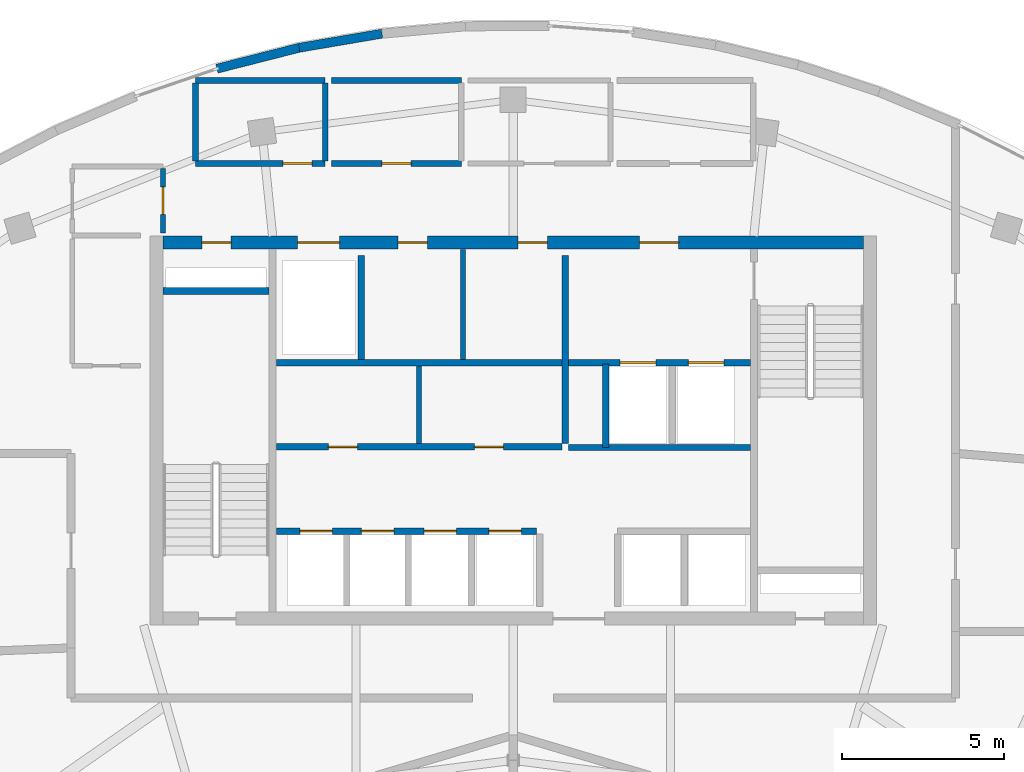
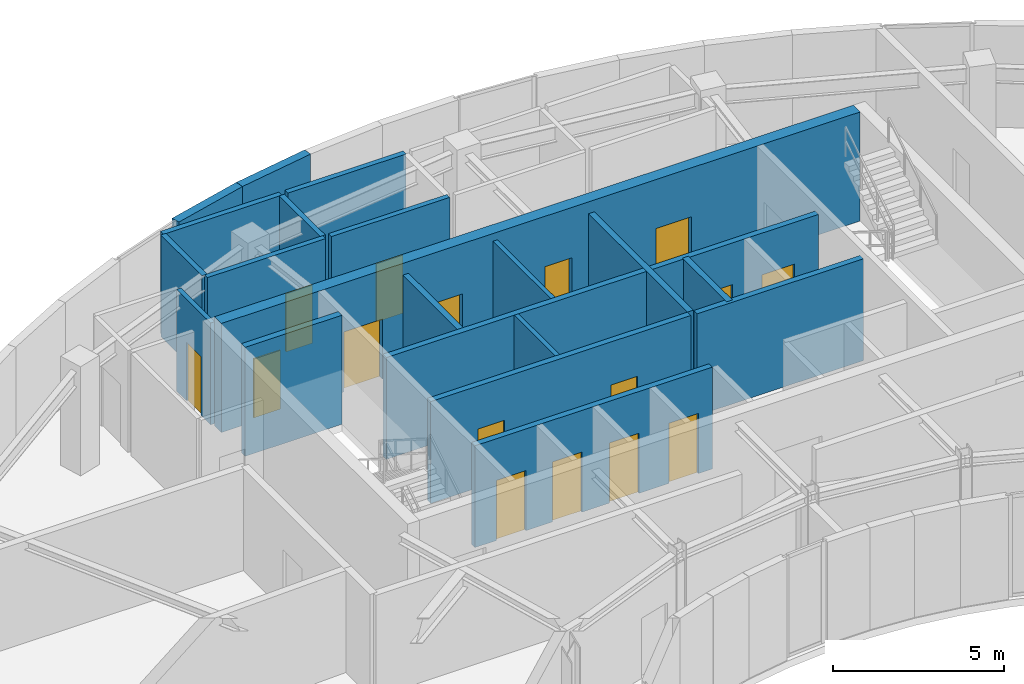
# One storey, part 6 of 9: 21 walls, 16 doors, 16 openings.
"""IFC4 building model written with IfcOpenShell, lengths in metres."""

from ifc_helpers import new_model, si_unit, direction, frame, frame_2d, origin, place, context, subcontext, project, spatial, rectangle, extrude, source, transform, mapped, material, layer, layer_set, type_object, type_shapes, element, fill, save


model = new_model("IFC4")

# Units and contexts
model_context = context("Model", 3, precision=1e-05, world=origin(), true_north=direction((0.0, 1.0)))
body_context = subcontext(model_context, "Body", "Model", "MODEL_VIEW")
ifc_project = project(units=[si_unit("LENGTHUNIT", "METRE"), si_unit("AREAUNIT", "SQUARE_METRE"), si_unit("VOLUMEUNIT", "CUBIC_METRE"), si_unit("PLANEANGLEUNIT", "RADIAN"), si_unit("MASSUNIT", "GRAM", prefix="KILO")], contexts=[model_context])

# Site, building, storey
site_placement = place(None, origin())
site = spatial("IfcSite", under=ifc_project, at=site_placement, CompositionType="ELEMENT")
building_placement = place(site_placement, origin())
building = spatial("IfcBuilding", under=site, at=building_placement, Name="Breltana Convention Tower", CompositionType="ELEMENT")
storey_placement = place(building_placement, frame((0.0, 0.0, 295.199951171875)))
storey = spatial("IfcBuildingStorey", under=building, at=storey_placement, Name="L72", CompositionType="ELEMENT", Elevation=295.199951171875)

# Wall
ifc_material_1 = material(Name="Concrete C50/60", Category="concrete")
ifc_layer_1 = layer(ifc_material_1, 0.39990234375, Name="Concrete C50/60")
ifc_layer_set_1 = layer_set([ifc_layer_1], Name="Concrete C50/60")
wall_type_1 = type_object("IfcWallType", Name="SW-CORE-400", PredefinedType="SHEAR", material=ifc_layer_set_1)
shared_shape_1 = source(origin(), body_context, "Body", "SweptSolid", [
    extrude(rectangle(XDim=3.27001953125, YDim=0.219970703125, at=frame_2d((1.635009765625, 0.0))), origin(), (0.0, 0.0, 1.0), 3.900146484375),
])
wall_1_placement = place(storey_placement, frame((37.199951171875, 70.510009765625, 0.0), z_axis=(0.0, 0.0, 1.0), x_axis=(1.0, 0.0, 0.0)))
element("IfcWall", 1, at=wall_1_placement, inside=storey, type_object=wall_type_1, Name="L72 ST-1 Stairwell North Bearing Wall", PredefinedType="SHEAR", context=body_context, shape_type="MappedRepresentation", body=[
    mapped(shared_shape_1, transform((0.0, 0.0, 0.0), scale=1.0)),
])

# Wall, openings, doors
shared_shape_2 = source(origin(), body_context, "Body", "SweptSolid", [
    extrude(rectangle(XDim=21.60009765625, YDim=0.39990234375, at=frame_2d((10.800048828125, 0.0))), origin(), (0.0, 0.0, 1.0), 3.900146484375),
])
wall_2_placement = place(storey_placement, frame((37.199951171875, 72.0, 0.0), z_axis=(0.0, 0.0, 1.0), x_axis=(1.0, 0.0, 0.0)))
wall_2 = element("IfcWall", 2, at=wall_2_placement, inside=storey, type_object=wall_type_1, Name="L72 North Core Shear Wall", PredefinedType="SHEAR", context=body_context, shape_type="MappedRepresentation", body=[
    mapped(shared_shape_2, transform((0.0, 0.0, 0.0), scale=1.0)),
])
opening_1_placement = place(wall_2_placement, frame((1.199951171875, 0.0, 0.0)))
opening_1 = element("IfcOpeningElement", 3, at=opening_1_placement, cuts=wall_2, Name="Opening D-18", PredefinedType="OPENING", context=body_context, shape_type="SweptSolid", body=[
    extrude(rectangle(XDim=0.89990234375, YDim=2.10009765625, at=frame_2d((0.449951171875, 1.050048828125))), frame((0.0, 0.2099609375, 0.0), z_axis=(0.0, -1.0, 0.0), x_axis=(1.0, 0.0, 0.0)), (0.0, 0.0, 1.0), 0.419921875),
])
opening_2_placement = place(wall_2_placement, frame((14.699951171875, 0.0, 0.0)))
opening_2 = element("IfcOpeningElement", 4, at=opening_2_placement, cuts=wall_2, Name="Opening D-09", PredefinedType="OPENING", context=body_context, shape_type="SweptSolid", body=[
    extrude(rectangle(XDim=1.199951171875, YDim=2.14990234375, at=frame_2d((0.60009765625, 1.074951171875))), frame((0.0, 0.2099609375, 0.0), z_axis=(0.0, -1.0, 0.0), x_axis=(1.0, 0.0, 0.0)), (0.0, 0.0, 1.0), 0.419921875),
])
opening_3_placement = place(wall_2_placement, frame((4.14990234375, 0.0, 0.0)))
opening_3 = element("IfcOpeningElement", 5, at=opening_3_placement, cuts=wall_2, Name="Opening LD-01", PredefinedType="OPENING", context=body_context, shape_type="SweptSolid", body=[
    extrude(rectangle(XDim=1.300048828125, YDim=2.14990234375, at=frame_2d((0.64990234375, 1.074951171875))), frame((0.0, 0.2099609375, 0.0), z_axis=(0.0, -1.0, 0.0), x_axis=(1.0, 0.0, 0.0)), (0.0, 0.0, 1.0), 0.419921875),
])
opening_4_placement = place(wall_2_placement, frame((7.25, 0.0, 0.0)))
opening_4 = element("IfcOpeningElement", 6, at=opening_4_placement, cuts=wall_2, Name="Opening D-18", PredefinedType="OPENING", context=body_context, shape_type="SweptSolid", body=[
    extrude(rectangle(XDim=0.89990234375, YDim=2.10009765625, at=frame_2d((0.449951171875, 1.050048828125))), frame((0.0, 0.2099609375, 0.0), z_axis=(0.0, -1.0, 0.0), x_axis=(1.0, 0.0, 0.0)), (0.0, 0.0, 1.0), 0.419921875),
])
opening_5_placement = place(wall_2_placement, frame((10.949951171875, 0.0, 0.0)))
opening_5 = element("IfcOpeningElement", 7, at=opening_5_placement, cuts=wall_2, Name="Opening D-18", PredefinedType="OPENING", context=body_context, shape_type="SweptSolid", body=[
    extrude(rectangle(XDim=0.89990234375, YDim=2.10009765625, at=frame_2d((0.449951171875, 1.050048828125))), frame((0.0, 0.2099609375, 0.0), z_axis=(0.0, -1.0, 0.0), x_axis=(1.0, 0.0, 0.0)), (0.0, 0.0, 1.0), 0.419921875),
])
ifc_material_2 = material(Name="Steel Riser Fire Door", Category="steel")
door_type_1 = type_object("IfcDoorType", Name="DR-FD60-900", OperationType="NOTDEFINED", PredefinedType="DOOR", material=ifc_material_2)
shared_shape_3 = source(origin(), body_context, "Body", "SweptSolid", [
    extrude(rectangle(XDim=0.89990234375, YDim=2.10009765625, at=frame_2d((0.449951171875, 1.050048828125))), frame((0.0, 0.02490234375, 0.0), z_axis=(0.0, -1.0, 0.0), x_axis=(1.0, 0.0, 0.0)), (0.0, 0.0, 1.0), 0.050048828125),
])
type_shapes(door_type_1, [shared_shape_3])
door_1_placement = place(opening_1_placement, origin())
door_1 = element("IfcDoor", 8, at=door_1_placement, inside=storey, type_object=door_type_1, Name="L72 Core Riser Access Door D-L72-RS1", OperationType="SINGLE_SWING_LEFT", OverallHeight=2.10009765625, OverallWidth=0.89990234375, PredefinedType="DOOR", context=body_context, shape_type="MappedRepresentation", body=[
    mapped(shared_shape_3, transform((0.0, 0.0, 0.0), scale=1.0)),
])
fill(opening_1, door_1)
door_2_placement = place(opening_4_placement, origin())
door_2 = element("IfcDoor", 9, at=door_2_placement, inside=storey, type_object=door_type_1, Name="L72 interior door D-L72-CRA1", OperationType="SINGLE_SWING_RIGHT", OverallHeight=2.10009765625, OverallWidth=0.89990234375, PredefinedType="DOOR", context=body_context, shape_type="MappedRepresentation", body=[
    mapped(shared_shape_3, transform((0.0, 0.0, 0.0), scale=1.0)),
])
fill(opening_4, door_2)
door_3_placement = place(opening_5_placement, origin())
door_3 = element("IfcDoor", 10, at=door_3_placement, inside=storey, type_object=door_type_1, Name="L72 interior door D-L72-CRA2", OperationType="SINGLE_SWING_LEFT", OverallHeight=2.10009765625, OverallWidth=0.89990234375, PredefinedType="DOOR", context=body_context, shape_type="MappedRepresentation", body=[
    mapped(shared_shape_3, transform((0.0, 0.0, 0.0), scale=1.0)),
])
fill(opening_5, door_3)
ifc_material_3 = material(Name="Steel Fire Lobby Door", Category="steel")
door_type_2 = type_object("IfcDoorType", Name="DR-FD120-1200", OperationType="NOTDEFINED", PredefinedType="DOOR", material=ifc_material_3)
shared_shape_4 = source(origin(), body_context, "Body", "SweptSolid", [
    extrude(rectangle(XDim=1.199951171875, YDim=2.14990234375, at=frame_2d((0.60009765625, 1.074951171875))), frame((0.0, 0.02490234375, 0.0), z_axis=(0.0, -1.0, 0.0), x_axis=(1.0, 0.0, 0.0)), (0.0, 0.0, 1.0), 0.050048828125),
])
type_shapes(door_type_2, [shared_shape_4])
door_4_placement = place(opening_2_placement, origin())
door_4 = element("IfcDoor", 11, at=door_4_placement, inside=storey, type_object=door_type_2, Name="L72 interior door D-L72-FFL-N", OperationType="SINGLE_SWING_RIGHT", OverallHeight=2.14990234375, OverallWidth=1.199951171875, PredefinedType="DOOR", context=body_context, shape_type="MappedRepresentation", body=[
    mapped(shared_shape_4, transform((0.0, 0.0, 0.0), scale=1.0)),
])
fill(opening_2, door_4)
ifc_material_4 = material(Name="Stainless Steel Brushed", Category="steel")
door_type_3 = type_object("IfcDoorType", Name="DR-LD-SRV-1300", OperationType="DOUBLE_DOOR_SLIDING", PredefinedType="DOOR", material=ifc_material_4)
shared_shape_5 = source(origin(), body_context, "Body", "SweptSolid", [
    extrude(rectangle(XDim=1.300048828125, YDim=2.14990234375, at=frame_2d((0.64990234375, 1.074951171875))), frame((0.0, 0.02490234375, 0.0), z_axis=(0.0, -1.0, 0.0), x_axis=(1.0, 0.0, 0.0)), (0.0, 0.0, 1.0), 0.050048828125),
])
type_shapes(door_type_3, [shared_shape_5])
door_5_placement = place(opening_3_placement, origin())
door_5 = element("IfcDoor", 12, at=door_5_placement, inside=storey, type_object=door_type_3, Name="L72 Lift Landing Door D-L72-LD-SV1", OperationType="DOUBLE_DOOR_SLIDING", OverallHeight=2.14990234375, OverallWidth=1.300048828125, PredefinedType="DOOR", context=body_context, shape_type="MappedRepresentation", body=[
    mapped(shared_shape_5, transform((0.0, 0.0, 0.0), scale=1.0)),
])
fill(opening_3, door_5)

# Walls
ifc_material_5 = material(Name="Limestone Buff Insulated Wall", Category="masonry")
ifc_layer_2 = layer(ifc_material_5, 0.280029296875, Name="Limestone Buff Insulated Wall")
ifc_layer_set_2 = layer_set([ifc_layer_2], Name="Limestone Buff Insulated Wall")
wall_type_2 = type_object("IfcWallType", Name="WL-EXT-NOSE-280", PredefinedType="SOLIDWALL", material=ifc_layer_set_2)
shared_shape_6 = source(origin(), body_context, "Body", "SweptSolid", [
    extrude(rectangle(XDim=2.6142578125, YDim=0.280029296875, at=frame_2d((1.30712890625, 0.0))), origin(), (0.0, 0.0, 1.0), 3.64013671875),
])
wall_3_placement = place(storey_placement, frame((38.86328125, 77.36181640625, 0.0), z_axis=(0.0, 0.0, 1.0), x_axis=(0.969106509315, 0.246642602978, 0.0)))
element("IfcWall", 13, at=wall_3_placement, inside=storey, type_object=wall_type_2, Name="L72 curved limestone nose wall E24", PredefinedType="SOLIDWALL", context=body_context, shape_type="MappedRepresentation", body=[
    mapped(shared_shape_6, transform((0.0, 0.0, 0.0), scale=1.0)),
])
shared_shape_7 = source(origin(), body_context, "Body", "SweptSolid", [
    extrude(rectangle(XDim=2.594482421875, YDim=0.280029296875, at=frame_2d((1.29736328125, 0.0))), origin(), (0.0, 0.0, 1.0), 3.64013671875),
])
wall_4_placement = place(storey_placement, frame((41.396728515625, 78.006591796875, 0.0), z_axis=(0.0, 0.0, 1.0), x_axis=(0.985792341502, 0.167968626344, 0.0)))
element("IfcWall", 14, at=wall_4_placement, inside=storey, type_object=wall_type_2, Name="L72 curved limestone nose wall E25", PredefinedType="SOLIDWALL", context=body_context, shape_type="MappedRepresentation", body=[
    mapped(shared_shape_7, transform((0.0, 0.0, 0.0), scale=1.0)),
])

# Wall, openings, doors
ifc_material_6 = material(Name="Autoclaved Aerated Concrete Block", Category="concrete")
ifc_layer_3 = layer(ifc_material_6, 0.199951171875, Name="Autoclaved Aerated Concrete Block")
ifc_layer_set_3 = layer_set([ifc_layer_3], Name="Autoclaved Aerated Concrete Block")
wall_type_3 = type_object("IfcWallType", Name="WL-SHAFT-200", PredefinedType="SOLIDWALL", material=ifc_layer_set_3)
shared_shape_8 = source(origin(), body_context, "Body", "SweptSolid", [
    extrude(rectangle(XDim=5.6201171875, YDim=0.199951171875, at=frame_2d((2.81005859375, 0.0))), origin(), (0.0, 0.0, 1.0), 3.64013671875),
])
wall_5_placement = place(storey_placement, frame((49.699951171875, 68.300048828125, 0.0), z_axis=(0.0, 0.0, 1.0), x_axis=(1.0, 0.0, 0.0)))
wall_5 = element("IfcWall", 15, at=wall_5_placement, inside=storey, type_object=wall_type_3, Name="L72 interior partition W-L72-FFL-S", PredefinedType="SOLIDWALL", context=body_context, shape_type="MappedRepresentation", body=[
    mapped(shared_shape_8, transform((0.0, 0.0, 0.0), scale=1.0)),
])
opening_6_placement = place(wall_5_placement, frame((1.60009765625, 0.0, 0.0)))
opening_6 = element("IfcOpeningElement", 16, at=opening_6_placement, cuts=wall_5, Name="Opening LD-03", PredefinedType="OPENING", context=body_context, shape_type="SweptSolid", body=[
    extrude(rectangle(XDim=1.10009765625, YDim=2.14990234375, at=frame_2d((0.550048828125, 1.074951171875))), frame((0.0, 0.10986328125, 0.0), z_axis=(0.0, -1.0, 0.0), x_axis=(1.0, 0.0, 0.0)), (0.0, 0.0, 1.0), 0.219970703125),
])
opening_7_placement = place(wall_5_placement, frame((3.699951171875, 0.0, 0.0)))
opening_7 = element("IfcOpeningElement", 17, at=opening_7_placement, cuts=wall_5, Name="Opening LD-03", PredefinedType="OPENING", context=body_context, shape_type="SweptSolid", body=[
    extrude(rectangle(XDim=1.10009765625, YDim=2.14990234375, at=frame_2d((0.550048828125, 1.074951171875))), frame((0.0, 0.10986328125, 0.0), z_axis=(0.0, -1.0, 0.0), x_axis=(1.0, 0.0, 0.0)), (0.0, 0.0, 1.0), 0.219970703125),
])
door_type_4 = type_object("IfcDoorType", Name="DR-LD-FF-1100", OperationType="DOUBLE_DOOR_SLIDING", PredefinedType="DOOR", material=ifc_material_4)
shared_shape_9 = source(origin(), body_context, "Body", "SweptSolid", [
    extrude(rectangle(XDim=1.10009765625, YDim=2.14990234375, at=frame_2d((0.550048828125, 1.074951171875))), frame((0.0, 0.02490234375, 0.0), z_axis=(0.0, -1.0, 0.0), x_axis=(1.0, 0.0, 0.0)), (0.0, 0.0, 1.0), 0.050048828125),
])
type_shapes(door_type_4, [shared_shape_9])
door_6_placement = place(opening_6_placement, origin())
door_6 = element("IfcDoor", 18, at=door_6_placement, inside=storey, type_object=door_type_4, Name="L72 Lift Landing Door D-L72-LD-FL1", OperationType="DOUBLE_DOOR_SLIDING", OverallHeight=2.14990234375, OverallWidth=1.10009765625, PredefinedType="DOOR", context=body_context, shape_type="MappedRepresentation", body=[
    mapped(shared_shape_9, transform((0.0, 0.0, 0.0), scale=1.0)),
])
fill(opening_6, door_6)
door_7_placement = place(opening_7_placement, origin())
door_7 = element("IfcDoor", 19, at=door_7_placement, inside=storey, type_object=door_type_4, Name="L72 Lift Landing Door D-L72-LD-FL2", OperationType="DOUBLE_DOOR_SLIDING", OverallHeight=2.14990234375, OverallWidth=1.10009765625, PredefinedType="DOOR", context=body_context, shape_type="MappedRepresentation", body=[
    mapped(shared_shape_9, transform((0.0, 0.0, 0.0), scale=1.0)),
])
fill(opening_7, door_7)

# Walls
wall_6_placement = place(storey_placement, frame((49.699951171875, 65.679931640625, 0.0), z_axis=(0.0, 0.0, 1.0), x_axis=(1.0, 0.0, 0.0)))
element("IfcWall", 20, at=wall_6_placement, inside=storey, type_object=wall_type_3, Name="L72 interior partition W-L72-FL-S", PredefinedType="SOLIDWALL", context=body_context, shape_type="MappedRepresentation", body=[
    mapped(shared_shape_8, transform((0.0, 0.0, 0.0), scale=1.0)),
])
shared_shape_10 = source(origin(), body_context, "Body", "SweptSolid", [
    extrude(rectangle(XDim=5.800048828125, YDim=0.199951171875, at=frame_2d((2.89990234375, 0.0))), origin(), (0.0, 0.0, 1.0), 3.64013671875),
])
wall_7_placement = place(storey_placement, frame((49.60009765625, 65.800048828125, 0.0), z_axis=(0.0, 0.0, 1.0), x_axis=(0.0, 1.0, 0.0)))
element("IfcWall", 21, at=wall_7_placement, inside=storey, type_object=wall_type_3, Name="L72 interior partition W-L72-FFL-W", PredefinedType="SOLIDWALL", context=body_context, shape_type="MappedRepresentation", body=[
    mapped(shared_shape_10, transform((0.0, 0.0, 0.0), scale=1.0)),
])
shared_shape_11 = source(origin(), body_context, "Body", "SweptSolid", [
    extrude(rectangle(XDim=2.580078125, YDim=0.199951171875, at=frame_2d((1.2900390625, 0.0))), origin(), (0.0, 0.0, 1.0), 3.64013671875),
])
wall_8_placement = place(storey_placement, frame((50.85009765625, 65.679931640625, 0.0), z_axis=(0.0, 0.0, 1.0), x_axis=(0.0, 1.0, 0.0)))
element("IfcWall", 22, at=wall_8_placement, inside=storey, type_object=wall_type_3, Name="L72 interior partition W-L72-FL-W", PredefinedType="SOLIDWALL", context=body_context, shape_type="MappedRepresentation", body=[
    mapped(shared_shape_11, transform((0.0, 0.0, 0.0), scale=1.0)),
])
shared_shape_12 = source(origin(), body_context, "Body", "SweptSolid", [
    extrude(rectangle(XDim=3.2001953125, YDim=0.199951171875, at=frame_2d((1.60009765625, 0.0))), origin(), (0.0, 0.0, 1.0), 3.64013671875),
])
wall_9_placement = place(storey_placement, frame((43.320068359375, 68.39990234375, 0.0), z_axis=(0.0, 0.0, 1.0), x_axis=(0.0, 1.0, 0.0)))
element("IfcWall", 23, at=wall_9_placement, inside=storey, type_object=wall_type_3, Name="L72 interior partition W-L72-SV-E", PredefinedType="SOLIDWALL", context=body_context, shape_type="MappedRepresentation", body=[
    mapped(shared_shape_12, transform((0.0, 0.0, 0.0), scale=1.0)),
])
shared_shape_13 = source(origin(), body_context, "Body", "SweptSolid", [
    extrude(rectangle(XDim=8.800048828125, YDim=0.199951171875, at=frame_2d((4.39990234375, 0.0))), origin(), (0.0, 0.0, 1.0), 3.64013671875),
])
wall_10_placement = place(storey_placement, frame((40.699951171875, 68.300048828125, 0.0), z_axis=(0.0, 0.0, 1.0), x_axis=(1.0, 0.0, 0.0)))
element("IfcWall", 24, at=wall_10_placement, inside=storey, type_object=wall_type_3, Name="L72 interior partition W-L72-SV-S", PredefinedType="SOLIDWALL", context=body_context, shape_type="MappedRepresentation", body=[
    mapped(shared_shape_13, transform((0.0, 0.0, 0.0), scale=1.0)),
])

# Wall, openings, doors
wall_11_placement = place(storey_placement, frame((40.699951171875, 65.699951171875, 0.0), z_axis=(0.0, 0.0, 1.0), x_axis=(1.0, 0.0, 0.0)))
wall_11 = element("IfcWall", 25, at=wall_11_placement, inside=storey, type_object=wall_type_3, Name="L72 interior partition W-L72-SH-M-FRONT", PredefinedType="SOLIDWALL", context=body_context, shape_type="MappedRepresentation", body=[
    mapped(shared_shape_13, transform((0.0, 0.0, 0.0), scale=1.0)),
])
opening_8_placement = place(wall_11_placement, frame((1.60009765625, 0.0, 0.0)))
opening_8 = element("IfcOpeningElement", 26, at=opening_8_placement, cuts=wall_11, Name="Opening D-18", PredefinedType="OPENING", context=body_context, shape_type="SweptSolid", body=[
    extrude(rectangle(XDim=0.89990234375, YDim=2.10009765625, at=frame_2d((0.449951171875, 1.050048828125))), frame((0.0, 0.10986328125, 0.0), z_axis=(0.0, -1.0, 0.0), x_axis=(1.0, 0.0, 0.0)), (0.0, 0.0, 1.0), 0.219970703125),
])
opening_9_placement = place(wall_11_placement, frame((6.10009765625, 0.0, 0.0)))
opening_9 = element("IfcOpeningElement", 27, at=opening_9_placement, cuts=wall_11, Name="Opening D-18", PredefinedType="OPENING", context=body_context, shape_type="SweptSolid", body=[
    extrude(rectangle(XDim=0.89990234375, YDim=2.10009765625, at=frame_2d((0.449951171875, 1.050048828125))), frame((0.0, 0.10986328125, 0.0), z_axis=(0.0, -1.0, 0.0), x_axis=(1.0, 0.0, 0.0)), (0.0, 0.0, 1.0), 0.219970703125),
])
door_8_placement = place(opening_8_placement, origin())
door_8 = element("IfcDoor", 28, at=door_8_placement, inside=storey, type_object=door_type_1, Name="L72 interior door D-L72-LV7-B2A", OperationType="SINGLE_SWING_RIGHT", OverallHeight=2.10009765625, OverallWidth=0.89990234375, PredefinedType="DOOR", context=body_context, shape_type="MappedRepresentation", body=[
    mapped(shared_shape_3, transform((0.0, 0.0, 0.0), scale=1.0)),
])
fill(opening_8, door_8)
door_9_placement = place(opening_9_placement, origin())
door_9 = element("IfcDoor", 29, at=door_9_placement, inside=storey, type_object=door_type_1, Name="L72 interior door D-L72-LV7-B2B", OperationType="SINGLE_SWING_LEFT", OverallHeight=2.10009765625, OverallWidth=0.89990234375, PredefinedType="DOOR", context=body_context, shape_type="MappedRepresentation", body=[
    mapped(shared_shape_3, transform((0.0, 0.0, 0.0), scale=1.0)),
])
fill(opening_9, door_9)

shared_shape_14 = source(origin(), body_context, "Body", "SweptSolid", [
    extrude(rectangle(XDim=8.02001953125, YDim=0.199951171875, at=frame_2d((4.010009765625, 0.0))), origin(), (0.0, 0.0, 1.0), 3.64013671875),
])
wall_12_placement = place(storey_placement, frame((40.699951171875, 63.10009765625, 0.0), z_axis=(0.0, 0.0, 1.0), x_axis=(1.0, 0.0, 0.0)))
wall_12 = element("IfcWall", 30, at=wall_12_placement, inside=storey, type_object=wall_type_3, Name="L72 interior partition W-L72-SH-S-FRONT", PredefinedType="SOLIDWALL", context=body_context, shape_type="MappedRepresentation", body=[
    mapped(shared_shape_14, transform((0.0, 0.0, 0.0), scale=1.0)),
])
opening_10_placement = place(wall_12_placement, frame((0.719970703125, 0.0, 0.0)))
opening_10 = element("IfcOpeningElement", 31, at=opening_10_placement, cuts=wall_12, Name="Opening LD-04", PredefinedType="OPENING", context=body_context, shape_type="SweptSolid", body=[
    extrude(rectangle(XDim=1.0, YDim=2.14990234375, at=frame_2d((0.5, 1.074951171875))), frame((0.0, 0.10986328125, 0.0), z_axis=(0.0, -1.0, 0.0), x_axis=(1.0, 0.0, 0.0)), (0.0, 0.0, 1.0), 0.219970703125),
])
opening_11_placement = place(wall_12_placement, frame((2.6201171875, 0.0, 0.0)))
opening_11 = element("IfcOpeningElement", 32, at=opening_11_placement, cuts=wall_12, Name="Opening LD-04", PredefinedType="OPENING", context=body_context, shape_type="SweptSolid", body=[
    extrude(rectangle(XDim=1.0, YDim=2.14990234375, at=frame_2d((0.5, 1.074951171875))), frame((0.0, 0.10986328125, 0.0), z_axis=(0.0, -1.0, 0.0), x_axis=(1.0, 0.0, 0.0)), (0.0, 0.0, 1.0), 0.219970703125),
])
opening_12_placement = place(wall_12_placement, frame((4.550048828125, 0.0, 0.0)))
opening_12 = element("IfcOpeningElement", 33, at=opening_12_placement, cuts=wall_12, Name="Opening LD-04", PredefinedType="OPENING", context=body_context, shape_type="SweptSolid", body=[
    extrude(rectangle(XDim=1.0, YDim=2.14990234375, at=frame_2d((0.5, 1.074951171875))), frame((0.0, 0.10986328125, 0.0), z_axis=(0.0, -1.0, 0.0), x_axis=(1.0, 0.0, 0.0)), (0.0, 0.0, 1.0), 0.219970703125),
])
opening_13_placement = place(wall_12_placement, frame((6.550048828125, 0.0, 0.0)))
opening_13 = element("IfcOpeningElement", 34, at=opening_13_placement, cuts=wall_12, Name="Opening LD-04", PredefinedType="OPENING", context=body_context, shape_type="SweptSolid", body=[
    extrude(rectangle(XDim=1.0, YDim=2.14990234375, at=frame_2d((0.5, 1.074951171875))), frame((0.0, 0.10986328125, 0.0), z_axis=(0.0, -1.0, 0.0), x_axis=(1.0, 0.0, 0.0)), (0.0, 0.0, 1.0), 0.219970703125),
])
door_type_5 = type_object("IfcDoorType", Name="DR-LD-PAX-1000", OperationType="DOUBLE_DOOR_SLIDING", PredefinedType="DOOR", material=ifc_material_4)
shared_shape_15 = source(origin(), body_context, "Body", "SweptSolid", [
    extrude(rectangle(XDim=1.0, YDim=2.14990234375, at=frame_2d((0.5, 1.074951171875))), frame((0.0, 0.02490234375, 0.0), z_axis=(0.0, -1.0, 0.0), x_axis=(1.0, 0.0, 0.0)), (0.0, 0.0, 1.0), 0.050048828125),
])
type_shapes(door_type_5, [shared_shape_15])
door_10_placement = place(opening_10_placement, origin())
door_10 = element("IfcDoor", 35, at=door_10_placement, inside=storey, type_object=door_type_5, Name="L72 Lift Landing Door D-L72-LD-S1", OperationType="DOUBLE_DOOR_SLIDING", OverallHeight=2.14990234375, OverallWidth=1.0, PredefinedType="DOOR", context=body_context, shape_type="MappedRepresentation", body=[
    mapped(shared_shape_15, transform((0.0, 0.0, 0.0), scale=1.0)),
])
fill(opening_10, door_10)
door_11_placement = place(opening_11_placement, origin())
door_11 = element("IfcDoor", 36, at=door_11_placement, inside=storey, type_object=door_type_5, Name="L72 Lift Landing Door D-L72-LD-S2", OperationType="DOUBLE_DOOR_SLIDING", OverallHeight=2.14990234375, OverallWidth=1.0, PredefinedType="DOOR", context=body_context, shape_type="MappedRepresentation", body=[
    mapped(shared_shape_15, transform((0.0, 0.0, 0.0), scale=1.0)),
])
fill(opening_11, door_11)
door_12_placement = place(opening_12_placement, origin())
door_12 = element("IfcDoor", 37, at=door_12_placement, inside=storey, type_object=door_type_5, Name="L72 Lift Landing Door D-L72-LD-S3", OperationType="DOUBLE_DOOR_SLIDING", OverallHeight=2.14990234375, OverallWidth=1.0, PredefinedType="DOOR", context=body_context, shape_type="MappedRepresentation", body=[
    mapped(shared_shape_15, transform((0.0, 0.0, 0.0), scale=1.0)),
])
fill(opening_12, door_12)
door_13_placement = place(opening_13_placement, origin())
door_13 = element("IfcDoor", 38, at=door_13_placement, inside=storey, type_object=door_type_5, Name="L72 Lift Landing Door D-L72-LD-S4", OperationType="DOUBLE_DOOR_SLIDING", OverallHeight=2.14990234375, OverallWidth=1.0, PredefinedType="DOOR", context=body_context, shape_type="MappedRepresentation", body=[
    mapped(shared_shape_15, transform((0.0, 0.0, 0.0), scale=1.0)),
])
fill(opening_13, door_13)

# Wall, opening, door
ifc_material_7 = material(Name="Gypsum Acoustic Drywall Partition")
ifc_layer_4 = layer(ifc_material_7, 0.14990234375, Name="Gypsum Acoustic Drywall Partition")
ifc_layer_set_4 = layer_set([ifc_layer_4], Name="Gypsum Acoustic Drywall Partition")
wall_type_4 = type_object("IfcWallType", Name="WL-PART-150", PredefinedType="PARTITIONING", material=ifc_layer_set_4)
shared_shape_16 = source(origin(), body_context, "Body", "SweptSolid", [
    extrude(rectangle(XDim=1.982421875, YDim=0.14990234375, at=frame_2d((0.9912109375, 0.0))), origin(), (0.0, 0.0, 1.0), 3.64013671875),
])
wall_13_placement = place(storey_placement, frame((37.199951171875, 72.300048828125, 0.0), z_axis=(0.0, 0.0, 1.0), x_axis=(0.0, 1.0, 0.0)))
wall_13 = element("IfcWall", 39, at=wall_13_placement, inside=storey, type_object=wall_type_4, Name="L72 interior partition W-L72-CRNW-E", PredefinedType="PARTITIONING", context=body_context, shape_type="MappedRepresentation", body=[
    mapped(shared_shape_16, transform((0.0, 0.0, 0.0), scale=1.0)),
])
opening_14_placement = place(wall_13_placement, frame((0.56640625, 0.0, 0.0)))
opening_14 = element("IfcOpeningElement", 40, at=opening_14_placement, cuts=wall_13, Name="Opening D-20", PredefinedType="OPENING", context=body_context, shape_type="SweptSolid", body=[
    extrude(rectangle(XDim=0.85009765625, YDim=2.10009765625, at=frame_2d((0.425048828125, 1.050048828125))), frame((0.0, 0.0849609375, 0.0), z_axis=(0.0, -1.0, 0.0), x_axis=(1.0, 0.0, 0.0)), (0.0, 0.0, 1.0), 0.169921875),
])
ifc_material_8 = material(Name="Steel Closet Fire Door", Category="steel")
door_type_6 = type_object("IfcDoorType", Name="DR-FD60-850", OperationType="NOTDEFINED", PredefinedType="DOOR", material=ifc_material_8)
shared_shape_17 = source(origin(), body_context, "Body", "SweptSolid", [
    extrude(rectangle(XDim=0.85009765625, YDim=2.10009765625, at=frame_2d((0.425048828125, 1.050048828125))), frame((0.0, 0.02490234375, 0.0), z_axis=(0.0, -1.0, 0.0), x_axis=(1.0, 0.0, 0.0)), (0.0, 0.0, 1.0), 0.050048828125),
])
type_shapes(door_type_6, [shared_shape_17])
door_14_placement = place(opening_14_placement, origin())
door_14 = element("IfcDoor", 41, at=door_14_placement, inside=storey, type_object=door_type_6, Name="L72 interior door D-L72-CRNW", OperationType="SINGLE_SWING_RIGHT", OverallHeight=2.10009765625, OverallWidth=0.85009765625, PredefinedType="DOOR", context=body_context, shape_type="MappedRepresentation", body=[
    mapped(shared_shape_17, transform((0.0, 0.0, 0.0), scale=1.0)),
])
fill(opening_14, door_14)

ifc_material_9 = material(Name="Cement Board Wet-Area Partition")
ifc_layer_5 = layer(ifc_material_9, 0.175048828125, Name="Cement Board Wet-Area Partition")
ifc_layer_set_5 = layer_set([ifc_layer_5], Name="Cement Board Wet-Area Partition")
wall_type_5 = type_object("IfcWallType", Name="WL-WET-175", PredefinedType="PARTITIONING", material=ifc_layer_set_5)
shared_shape_18 = source(origin(), body_context, "Body", "SweptSolid", [
    extrude(rectangle(XDim=4.0, YDim=0.175048828125, at=frame_2d((2.0, 0.0))), origin(), (0.0, 0.0, 1.0), 3.64013671875),
])
wall_14_placement = place(storey_placement, frame((38.199951171875, 74.43994140625, 0.0), z_axis=(0.0, 0.0, 1.0), x_axis=(1.0, 0.0, 0.0)))
wall_14 = element("IfcWall", 42, at=wall_14_placement, inside=storey, type_object=wall_type_5, Name="L72 interior partition W-L72-WCM-S", PredefinedType="PARTITIONING", context=body_context, shape_type="MappedRepresentation", body=[
    mapped(shared_shape_18, transform((0.0, 0.0, 0.0), scale=1.0)),
])
opening_15_placement = place(wall_14_placement, frame((2.699951171875, 0.0, 0.0)))
opening_15 = element("IfcOpeningElement", 43, at=opening_15_placement, cuts=wall_14, Name="Opening D-19", PredefinedType="OPENING", context=body_context, shape_type="SweptSolid", body=[
    extrude(rectangle(XDim=0.89990234375, YDim=2.080078125, at=frame_2d((0.449951171875, 1.0400390625))), frame((0.0, 0.09765625, 0.0), z_axis=(0.0, -1.0, 0.0), x_axis=(1.0, 0.0, 0.0)), (0.0, 0.0, 1.0), 0.195068359375),
])
ifc_material_10 = material(Name="Timber Moisture-Resistant Door", Category="wood")
door_type_7 = type_object("IfcDoorType", Name="DR-WC-900", OperationType="NOTDEFINED", PredefinedType="DOOR", material=ifc_material_10)
shared_shape_19 = source(origin(), body_context, "Body", "SweptSolid", [
    extrude(rectangle(XDim=0.89990234375, YDim=2.080078125, at=frame_2d((0.449951171875, 1.0400390625))), frame((0.0, 0.02490234375, 0.0), z_axis=(0.0, -1.0, 0.0), x_axis=(1.0, 0.0, 0.0)), (0.0, 0.0, 1.0), 0.050048828125),
])
type_shapes(door_type_7, [shared_shape_19])
door_15_placement = place(opening_15_placement, origin())
door_15 = element("IfcDoor", 44, at=door_15_placement, inside=storey, type_object=door_type_7, Name="L72 interior door D-L72-WCM", OperationType="SINGLE_SWING_RIGHT", OverallHeight=2.080078125, OverallWidth=0.89990234375, PredefinedType="DOOR", context=body_context, shape_type="MappedRepresentation", body=[
    mapped(shared_shape_19, transform((0.0, 0.0, 0.0), scale=1.0)),
])
fill(opening_15, door_15)

wall_15_placement = place(storey_placement, frame((42.39990234375, 74.43994140625, 0.0), z_axis=(0.0, 0.0, 1.0), x_axis=(1.0, 0.0, 0.0)))
wall_15 = element("IfcWall", 45, at=wall_15_placement, inside=storey, type_object=wall_type_5, Name="L72 interior partition W-L72-WCF-S", PredefinedType="PARTITIONING", context=body_context, shape_type="MappedRepresentation", body=[
    mapped(shared_shape_18, transform((0.0, 0.0, 0.0), scale=1.0)),
])
opening_16_placement = place(wall_15_placement, frame((1.550048828125, 0.0, 0.0)))
opening_16 = element("IfcOpeningElement", 46, at=opening_16_placement, cuts=wall_15, Name="Opening D-19", PredefinedType="OPENING", context=body_context, shape_type="SweptSolid", body=[
    extrude(rectangle(XDim=0.89990234375, YDim=2.080078125, at=frame_2d((0.449951171875, 1.0400390625))), frame((0.0, 0.09765625, 0.0), z_axis=(0.0, -1.0, 0.0), x_axis=(1.0, 0.0, 0.0)), (0.0, 0.0, 1.0), 0.195068359375),
])
door_16_placement = place(opening_16_placement, origin())
door_16 = element("IfcDoor", 47, at=door_16_placement, inside=storey, type_object=door_type_7, Name="L72 interior door D-L72-WCF", OperationType="SINGLE_SWING_LEFT", OverallHeight=2.080078125, OverallWidth=0.89990234375, PredefinedType="DOOR", context=body_context, shape_type="MappedRepresentation", body=[
    mapped(shared_shape_19, transform((0.0, 0.0, 0.0), scale=1.0)),
])
fill(opening_16, door_16)

# Walls
ifc_material_11 = material(Name="Moisture-Resistant Gypsum Chase Wall")
ifc_layer_6 = layer(ifc_material_11, 0.179931640625, Name="Moisture-Resistant Gypsum Chase Wall")
ifc_layer_set_6 = layer_set([ifc_layer_6], Name="Moisture-Resistant Gypsum Chase Wall")
wall_type_6 = type_object("IfcWallType", Name="WL-PLUMB-180", PredefinedType="PLUMBINGWALL", material=ifc_layer_set_6)
shared_shape_20 = source(origin(), body_context, "Body", "SweptSolid", [
    extrude(rectangle(XDim=4.0, YDim=0.179931640625, at=frame_2d((2.0, 0.0))), origin(), (0.0, 0.0, 1.0), 3.64013671875),
])
for number, where, z_axis, x_axis, name in (
    (48, (38.199951171875, 77.0, 0.0), (0.0, 0.0, 1.0), (1.0, 0.0, 0.0), "L72 interior partition W-L72-WCM-N"),
    (49, (42.39990234375, 77.0, 0.0), (0.0, 0.0, 1.0), (1.0, 0.0, 0.0), "L72 interior partition W-L72-WCF-N"),
):
    element("IfcWall", number, at=place(storey_placement, frame(where, z_axis=z_axis, x_axis=x_axis)), inside=storey, type_object=wall_type_6, Name=name, PredefinedType="PLUMBINGWALL", context=body_context, shape_type="MappedRepresentation", body=[
        mapped(shared_shape_20, transform((0.0, 0.0, 0.0), scale=1.0)),
    ])
shared_shape_21 = source(origin(), body_context, "Body", "SweptSolid", [
    extrude(rectangle(XDim=2.402587890625, YDim=0.175048828125, at=frame_2d((1.201171875, 0.0))), origin(), (0.0, 0.0, 1.0), 3.64013671875),
])
for number, where, z_axis, x_axis, name in (
    (50, (38.199951171875, 74.518798828125, 0.0), (0.0, 0.0, 1.0), (0.0, 1.0, 0.0), "L72 interior partition W-L72-WCM-W"),
    (51, (42.199951171875, 74.518798828125, 0.0), (0.0, 0.0, 1.0), (0.0, 1.0, 0.0), "L72 interior partition W-L72-WCM-E"),
):
    element("IfcWall", number, at=place(storey_placement, frame(where, z_axis=z_axis, x_axis=x_axis)), inside=storey, type_object=wall_type_5, Name=name, PredefinedType="PARTITIONING", context=body_context, shape_type="MappedRepresentation", body=[
        mapped(shared_shape_21, transform((0.0, 0.0, 0.0), scale=1.0)),
    ])
shared_shape_22 = source(origin(), body_context, "Body", "SweptSolid", [
    extrude(rectangle(XDim=2.39990234375, YDim=0.14990234375, at=frame_2d((1.199951171875, 0.0))), origin(), (0.0, 0.0, 1.0), 3.64013671875),
])
wall_16_placement = place(storey_placement, frame((45.10009765625, 65.800048828125, 0.0), z_axis=(0.0, 0.0, 1.0), x_axis=(0.0, 1.0, 0.0)))
element("IfcWall", 52, at=wall_16_placement, inside=storey, type_object=wall_type_4, Name="L72 interior partition W-L72-LV7-B2-DIV", PredefinedType="PARTITIONING", context=body_context, shape_type="MappedRepresentation", body=[
    mapped(shared_shape_22, transform((0.0, 0.0, 0.0), scale=1.0)),
])
shared_shape_23 = source(origin(), body_context, "Body", "SweptSolid", [
    extrude(rectangle(XDim=3.380126953125, YDim=0.14990234375, at=frame_2d((1.68994140625, 0.0))), origin(), (0.0, 0.0, 1.0), 3.64013671875),
])
wall_17_placement = place(storey_placement, frame((46.449951171875, 68.39990234375, 0.0), z_axis=(0.0, 0.0, 1.0), x_axis=(0.0, 1.0, 0.0)))
element("IfcWall", 53, at=wall_17_placement, inside=storey, type_object=wall_type_4, Name="L72 interior partition W-L72-KV-1", PredefinedType="PARTITIONING", context=body_context, shape_type="MappedRepresentation", body=[
    mapped(shared_shape_23, transform((0.0, 0.0, 0.0), scale=1.0)),
])

save(model, "model.ifc")
